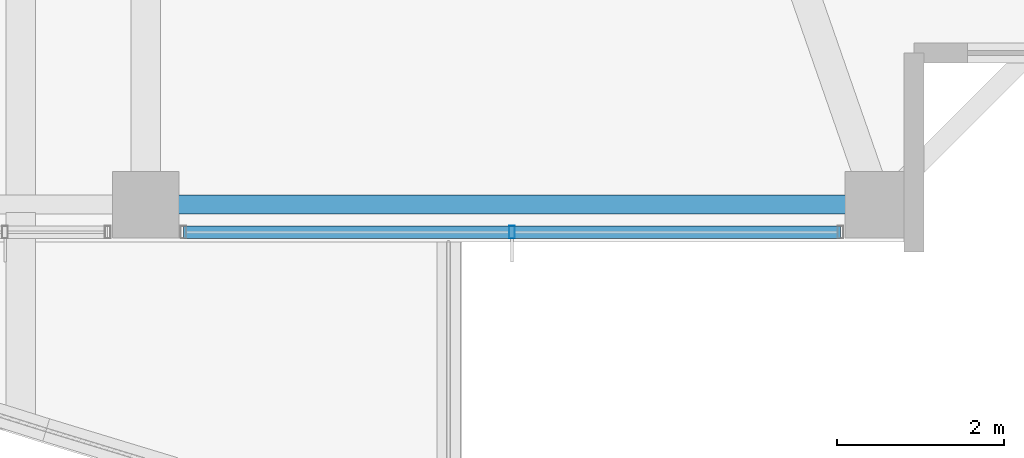
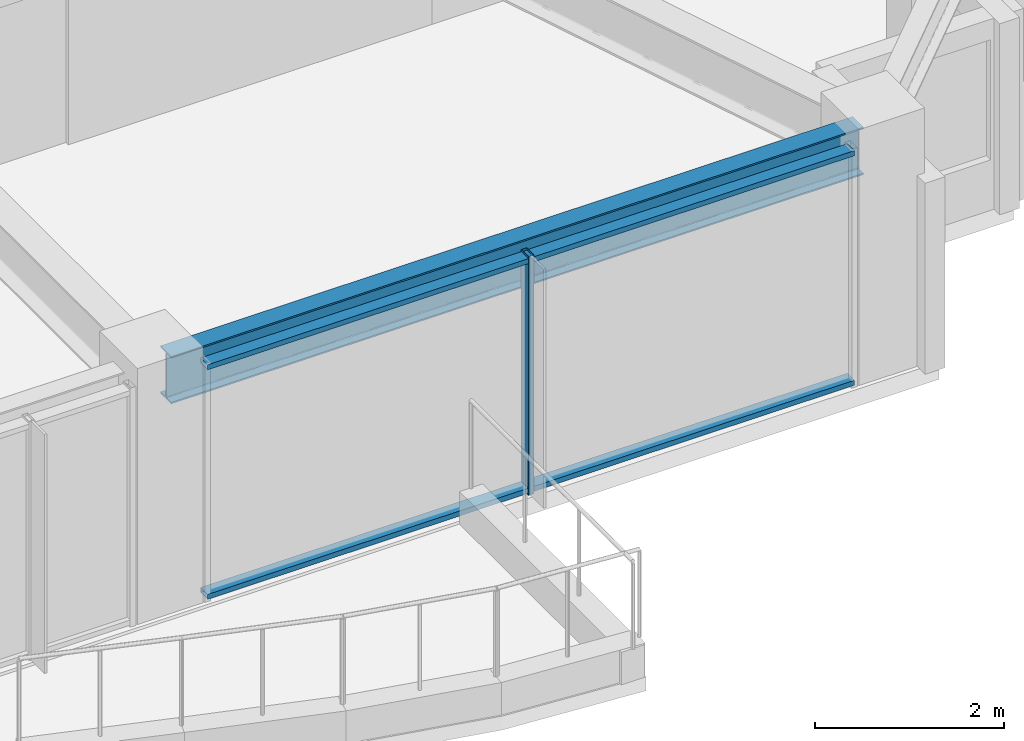
# One storey, part 7 of 36: 3 members, 1 beam, 1 element without a shape of its own.
"""IFC4 building model written with IfcOpenShell, lengths in metres."""

from ifc_helpers import new_model, si_unit, direction, frame, origin, origin_2d, place, context, subcontext, project, spatial, hollow_rectangle, i_section, extrude, material, material_profile, profile_set, type_object, element, aggregate, save


model = new_model("IFC4")

# Units and contexts
model_context = context("Model", 3, precision=1e-05, world=origin(), true_north=direction((0.0, 1.0)))
body_context = subcontext(model_context, "Body", "Model", "MODEL_VIEW")
ifc_project = project(units=[si_unit("LENGTHUNIT", "METRE"), si_unit("AREAUNIT", "SQUARE_METRE"), si_unit("VOLUMEUNIT", "CUBIC_METRE"), si_unit("PLANEANGLEUNIT", "RADIAN"), si_unit("MASSUNIT", "GRAM", prefix="KILO")], contexts=[model_context])

# Site, building, storey
site_placement = place(None, origin())
site = spatial("IfcSite", under=ifc_project, at=site_placement, CompositionType="ELEMENT")
building_placement = place(site_placement, origin())
building = spatial("IfcBuilding", under=site, at=building_placement, Name="Kolvaren Belvedere", CompositionType="ELEMENT")
storey_placement = place(building_placement, frame((0.0, 0.0, 193.199951171875)))
storey = spatial("IfcBuildingStorey", under=building, at=storey_placement, Name="L56", CompositionType="ELEMENT", Elevation=193.199951171875)

# Beam
ifc_material_1 = material(Name="Structural steel ASTM A992 Grade 50", Category="steel")
ifc_material_profile_1 = material_profile(ifc_material_1, i_section(OverallWidth=0.22900390625, OverallDepth=0.612060546875, WebThickness=0.011962890625, FlangeThickness=0.01953125, FilletRadius=0.01806640625, at=origin_2d()), Name="W24X84")
ifc_profile_set_1 = profile_set([ifc_material_profile_1], Name="Structural steel ASTM A992 Grade 50")
beam_type = type_object("IfcBeamType", Name="BM-SPAN-W24X84", PredefinedType="SPANDREL", material=ifc_profile_set_1)
beam_placement = place(storey_placement, frame((4.780029296875, -19.949951171875, 2.774169921875), z_axis=(1.0, 0.0, 0.0), x_axis=(0.0, 1.0, 0.0)))
element("IfcBeam", 1, at=beam_placement, inside=storey, type_object=beam_type, Name="L56 Perimeter Spandrel S3-S4", PredefinedType="SPANDREL", context=body_context, shape_type="SweptSolid", body=[
    extrude(i_section(OverallWidth=0.22900390625, OverallDepth=0.612060546875, WebThickness=0.011962890625, FlangeThickness=0.01953125, FilletRadius=0.01806640625, at=origin_2d()), origin(), (0.0, 0.0, 1.0), 8.43994140625),
])

# Curtain wall, members
ifc_material_2 = material(Name="Anodised pale-metal aluminium AA 6063-T6", Category="aluminium")
curtain_wall_type = type_object("IfcCurtainWallType", Name="CW-Z5-HIGH", PredefinedType="NOTDEFINED", material=ifc_material_2)
curtain_wall_placement = place(storey_placement, origin())
curtain_wall = element("IfcCurtainWall", 2, at=curtain_wall_placement, inside=storey, type_object=curtain_wall_type, Name="L56 Unitised Curtain Wall FCW-L56-S1-B1", PredefinedType="NOTDEFINED")
ifc_material_3 = material(Name="Anodised pale-metal aluminium AA 6063-T6", Category="aluminium")
ifc_material_profile_2 = material_profile(ifc_material_3, hollow_rectangle(XDim=0.070068359375, YDim=0.14990234375, WallThickness=0.004150390625, at=origin_2d()), Name="ALU-MUL-150X70")
ifc_profile_set_2 = profile_set([ifc_material_profile_2], Name="Anodised pale-metal aluminium AA 6063-T6")
member_type_1 = type_object("IfcMemberType", Name="CW-MUL-150", PredefinedType="MULLION", material=ifc_profile_set_2)
member_1_placement = place(storey_placement, frame((9.0, -20.280029296875, 0.0), z_axis=(0.0, 0.0, 1.0), x_axis=(1.0, 0.0, 0.0)))
member_1 = element("IfcMember", 3, at=member_1_placement, type_object=member_type_1, Name="FCW-L56-S1-B1 Unitised Mullion 2", PredefinedType="MULLION", context=body_context, shape_type="SweptSolid", body=[
    extrude(hollow_rectangle(XDim=0.070068359375, YDim=0.14990234375, WallThickness=0.004150390625, at=origin_2d()), origin(), (0.0, 0.0, 1.0), 3.080078125),
])
ifc_material_4 = material(Name="Anodised pale-metal aluminium AA 6063-T6", Category="aluminium")
ifc_material_profile_3 = material_profile(ifc_material_4, hollow_rectangle(XDim=0.06494140625, YDim=0.14990234375, WallThickness=0.00390625, at=origin_2d()), Name="ALU-TRN-150X65")
ifc_profile_set_3 = profile_set([ifc_material_profile_3], Name="Anodised pale-metal aluminium AA 6063-T6")
member_type_2 = type_object("IfcMemberType", Name="CW-TRN-150", PredefinedType="USERDEFINED", material=ifc_profile_set_3)
member_2_placement = place(storey_placement, frame((12.945068359375, -20.280029296875, 0.06005859375), z_axis=(-1.0, 0.0, 0.0), x_axis=(0.0, 0.0, 1.0)))
member_2 = element("IfcMember", 4, at=member_2_placement, type_object=member_type_2, Name="FCW-L56-S1-B1 Sill Transom", ObjectType="TRANSOM", PredefinedType="USERDEFINED", context=body_context, shape_type="SweptSolid", body=[
    extrude(hollow_rectangle(XDim=0.06494140625, YDim=0.14990234375, WallThickness=0.00390625, at=origin_2d()), origin(), (0.0, 0.0, 1.0), 7.89013671875),
])
member_3_placement = place(storey_placement, frame((12.945068359375, -20.280029296875, 3.02001953125), z_axis=(-1.0, 0.0, 0.0), x_axis=(0.0, 0.0, 1.0)))
member_3 = element("IfcMember", 5, at=member_3_placement, type_object=member_type_2, Name="FCW-L56-S1-B1 Head Transom", ObjectType="TRANSOM", PredefinedType="USERDEFINED", context=body_context, shape_type="SweptSolid", body=[
    extrude(hollow_rectangle(XDim=0.06494140625, YDim=0.14990234375, WallThickness=0.00390625, at=origin_2d()), origin(), (0.0, 0.0, 1.0), 7.89013671875),
])
aggregate(curtain_wall, [member_1, member_2, member_3])

save(model, "model.ifc")
